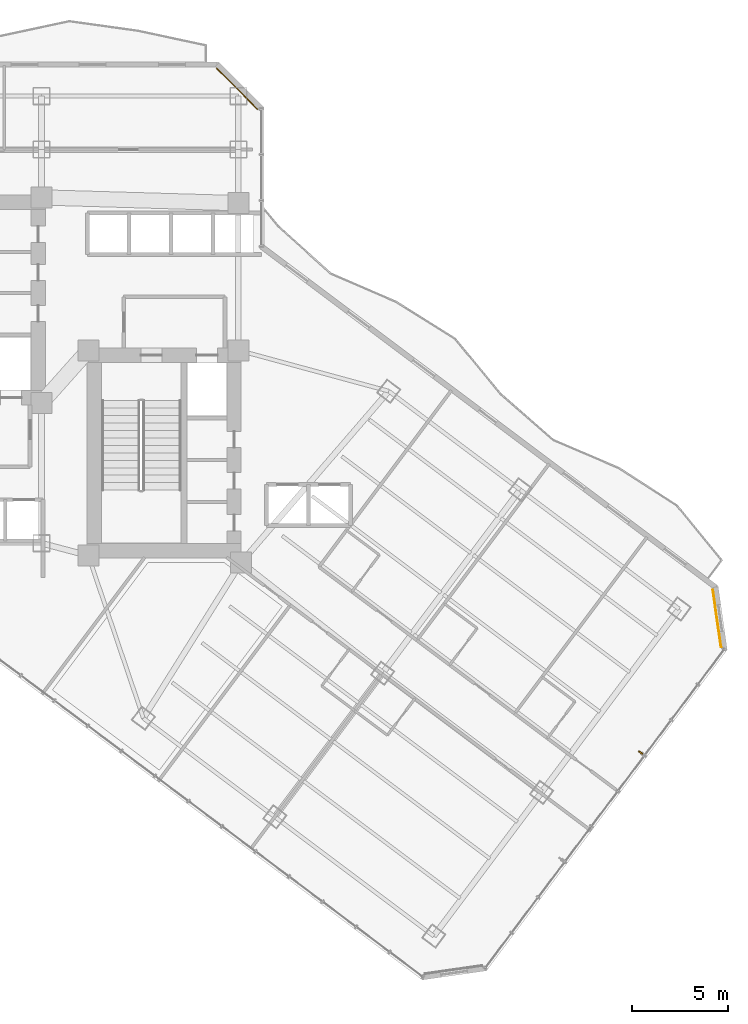
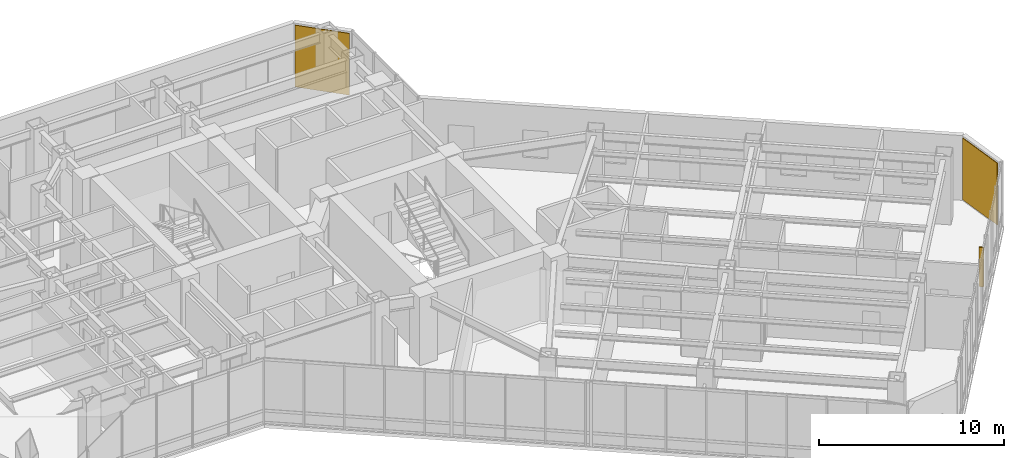
# One storey, part 27 of 27: 2 coverings, 1 shading device.
"""IFC4 building model written with IfcOpenShell, lengths in metres."""

import ifcopenshell
import ifcopenshell.guid

model = None  # the IFC model being written
_history = None  # IfcOwnerHistory: only IFC2X3 demands one
_inside = {}  # id of a spatial element -> (the spatial element, [elements in it])
_under = {}  # id of a project, library or spatial element -> (it, [spatial elements below it])
_declared = {}  # id of a project -> (the project, [libraries it declares])
_typed = {}  # id of a type object -> (the type object, [elements of that type])
_made_of = {}  # id of a material, layer set ... -> (it, [elements and type objects made of it])


def new_model(schema):
    """Start an empty IFC model of exactly this schema.

    Asked for "IFC4X3", IfcOpenShell would pick the latest addendum, in which some entities
    have other attributes; the version numbers below select the first issue.
    IFC2X3 requires an IfcOwnerHistory on every rooted entity: one is made here for all.
    """
    global model, _history
    if schema == "IFC4X3":
        model = ifcopenshell.file(schema_version=(4, 3, 0, 0))
    else:
        model = ifcopenshell.file(schema=schema)
    _inside.clear()
    _under.clear()
    _declared.clear()
    _typed.clear()
    _made_of.clear()
    _history = None
    if model.schema == "IFC2X3":
        org = make("IfcOrganization", Name="unknown")
        user = make(
            "IfcPersonAndOrganization",
            ThePerson=make("IfcPerson", FamilyName="unknown"),
            TheOrganization=org,
        )
        app = make(
            "IfcApplication",
            ApplicationDeveloper=org,
            Version="unknown",
            ApplicationFullName="unknown",
            ApplicationIdentifier="unknown",
        )
        _history = make(
            "IfcOwnerHistory",
            OwningUser=user,
            OwningApplication=app,
            ChangeAction="ADDED",
            CreationDate=0,
        )
    return model


def make(cls, **values):
    """One entity of the class cls with the attributes given. An attribute that is None is left unset."""
    return model.create_entity(
        cls, **{name: value for name, value in values.items() if value is not None}
    )


def rooted(cls, **values):
    """An entity with a GlobalId (a new one), such as an element, a storey or a relation."""
    return make(cls, GlobalId=ifcopenshell.guid.new(), OwnerHistory=_history, **values)


def si_unit(unit_type, name, prefix=None):
    """IfcSIUnit, for example si_unit("LENGTHUNIT", "METRE", prefix="MILLI")."""
    return make("IfcSIUnit", UnitType=unit_type, Prefix=prefix, Name=name)


def assignment(units):
    """IfcUnitAssignment: the units of a project."""
    return None if units is None else make("IfcUnitAssignment", Units=units)


def point(xyz):
    """IfcCartesianPoint."""
    return None if xyz is None else make("IfcCartesianPoint", Coordinates=xyz)


def direction(xyz):
    """IfcDirection."""
    return None if xyz is None else make("IfcDirection", DirectionRatios=xyz)


def frame(location, z_axis=None, x_axis=None):
    """IfcAxis2Placement3D, a coordinate frame: its origin and axes. An axis left out is left unset."""
    return make(
        "IfcAxis2Placement3D",
        Location=point(location),
        Axis=direction(z_axis),
        RefDirection=direction(x_axis),
    )


def frame_2d(location, x_axis=None):
    """IfcAxis2Placement2D, a coordinate frame in the plane: its origin and x axis."""
    return make(
        "IfcAxis2Placement2D", Location=point(location), RefDirection=direction(x_axis)
    )


def origin():
    """The frame at (0, 0, 0) with its axes left unset."""
    return frame((0.0, 0.0, 0.0))


def origin_2d():
    """The frame at (0, 0) in the plane with its x axis left unset."""
    return frame_2d((0.0, 0.0))


def place(relative_to, where):
    """IfcLocalPlacement: puts the frame where relative to a parent placement (None: the world)."""
    return make(
        "IfcLocalPlacement", PlacementRelTo=relative_to, RelativePlacement=where
    )


def context(
    kind, dimensions, precision=None, world=None, true_north=None, identifier=None
):
    """IfcGeometricRepresentationContext, for example the 3D "Model" context."""
    return make(
        "IfcGeometricRepresentationContext",
        ContextIdentifier=identifier,
        ContextType=kind,
        CoordinateSpaceDimension=dimensions,
        Precision=precision,
        WorldCoordinateSystem=world,
        TrueNorth=true_north,
    )


def subcontext(parent, identifier, kind, view, scale=None):
    """IfcGeometricRepresentationSubContext, for example "Body" below "Model"."""
    return make(
        "IfcGeometricRepresentationSubContext",
        ContextIdentifier=identifier,
        ContextType=kind,
        ParentContext=parent,
        TargetScale=scale,
        TargetView=view,
    )


def project(units=None, contexts=None):
    """IfcProject with its units and contexts."""
    return rooted(
        "IfcProject",
        Name="project",
        RepresentationContexts=contexts,
        UnitsInContext=assignment(units),
    )


def spatial(cls, under=None, at=None, **own):
    """A site, building, storey or space (cls), placed at a placement, below another one or the project."""
    s = rooted(cls, ObjectPlacement=at, **own)
    if under is not None:
        _under.setdefault(under.id(), (under, []))[1].append(s)
    return s


def profile(cls, at=None, kind="AREA", **sizes):
    """A parametric profile (cls). Its sizes go by their IFC names, for example OverallWidth=200.0."""
    return make(cls, ProfileType=kind, Position=at, **sizes)


def rectangle(**sizes):
    """IfcRectangleProfileDef."""
    return profile("IfcRectangleProfileDef", **sizes)


def extrude(swept, where, along, depth):
    """IfcExtrudedAreaSolid: the profile swept, set in the frame where, extruded along a direction by depth."""
    return make(
        "IfcExtrudedAreaSolid",
        SweptArea=swept,
        Position=where,
        ExtrudedDirection=direction(along),
        Depth=depth,
    )


def shape(context_of_items, identifier, shape_type, items):
    """IfcShapeRepresentation: the items that make up one representation, for example the "Body"."""
    return make(
        "IfcShapeRepresentation",
        ContextOfItems=context_of_items,
        RepresentationIdentifier=identifier,
        RepresentationType=shape_type,
        Items=items,
    )


def material(Name=None, Category=None):
    """IfcMaterial."""
    return make("IfcMaterial", Name=Name, Category=Category)


def layer(
    of_material, thickness, ventilated=None, Name=None, Category=None, Priority=None
):
    """IfcMaterialLayer: one layer of a wall or slab, of a material (None: an air gap)."""
    return make(
        "IfcMaterialLayer",
        Material=of_material,
        LayerThickness=thickness,
        IsVentilated=ventilated,
        Name=Name,
        Category=Category,
        Priority=Priority,
    )


def layer_set(layers, Name=None):
    """IfcMaterialLayerSet."""
    return make("IfcMaterialLayerSet", MaterialLayers=layers, LayerSetName=Name)


def made_of(thing, what):
    """Note that an element or type object is made of a material, layer set ...; save() writes the relation."""
    if what is not None:
        _made_of.setdefault(what.id(), (what, []))[1].append(thing)
    return thing


def type_object(cls, material=None, **own):
    """A type object (cls), such as IfcWallType, which elements share."""
    return made_of(rooted(cls, **own), material)


def element(
    cls,
    number,
    at=None,
    inside=None,
    cuts=None,
    type_object=None,
    material=None,
    context=None,
    identifier="Body",
    shape_type=None,
    held_by="IfcProductDefinitionShape",
    body=None,
    shapes=None,
    **own,
):
    """One element of the class cls, such as IfcWall. Its Tag is "e" and its number.

    at: its placement. inside: the storey or other place that contains it. cuts: it is an
    opening in that element (IfcRelVoidsElement). A single representation is given by context,
    identifier, shape_type and body (its items); several are given by shapes. held_by: the class
    of the entity that holds the representations. save() writes the other relations.
    """
    e = rooted(cls, Tag="e%d" % number, ObjectPlacement=at, **own)
    if body is not None:
        shapes = [shape(context, identifier, shape_type, body)]
    if shapes is not None:
        e.Representation = make(held_by, Representations=shapes)
    if inside is not None:
        _inside.setdefault(inside.id(), (inside, []))[1].append(e)
    if cuts is not None:
        rooted(
            "IfcRelVoidsElement", RelatingBuildingElement=cuts, RelatedOpeningElement=e
        )
    if type_object is not None:
        _typed.setdefault(type_object.id(), (type_object, []))[1].append(e)
    return made_of(e, material)


def aggregate(whole, parts):
    """IfcRelAggregates: a whole, such as a stair, and the parts it consists of."""
    return rooted("IfcRelAggregates", RelatingObject=whole, RelatedObjects=parts)


def save(model, path):
    """Write the relations noted so far, then the file.

    IfcRelAggregates (storeys below a building ...), IfcRelContainedInSpatialStructure (elements
    in a storey), IfcRelDefinesByType, IfcRelAssociatesMaterial and IfcRelDeclares: one each for
    every whole, place, type object, material and project.
    """
    for whole, parts in _under.values():
        aggregate(whole, parts)
    for where, things in _inside.values():
        rooted(
            "IfcRelContainedInSpatialStructure",
            RelatedElements=things,
            RelatingStructure=where,
        )
    for kind, things in _typed.values():
        rooted("IfcRelDefinesByType", RelatedObjects=things, RelatingType=kind)
    for what, things in _made_of.values():
        rooted("IfcRelAssociatesMaterial", RelatedObjects=things, RelatingMaterial=what)
    for by, libraries in _declared.values():
        rooted("IfcRelDeclares", RelatingContext=by, RelatedDefinitions=libraries)
    model.write(path)


model = new_model("IFC4")

# Units and contexts
model_context = context("Model", 3, precision=1e-05, world=origin(), true_north=direction((0.0, 1.0)))
body_context = subcontext(model_context, "Body", "Model", "MODEL_VIEW")
ifc_project = project(units=[si_unit("LENGTHUNIT", "METRE"), si_unit("AREAUNIT", "SQUARE_METRE"), si_unit("VOLUMEUNIT", "CUBIC_METRE"), si_unit("PLANEANGLEUNIT", "RADIAN"), si_unit("MASSUNIT", "GRAM", prefix="KILO")], contexts=[model_context])

# Site, building, storey
site_placement = place(None, origin())
site = spatial("IfcSite", under=ifc_project, at=site_placement, CompositionType="ELEMENT")
building_placement = place(site_placement, origin())
building = spatial("IfcBuilding", under=site, at=building_placement, Name="Hatsunagi Terrace Concourse", CompositionType="ELEMENT")
storey_placement = place(building_placement, frame((0.0, 0.0, 70.10009765625)))
storey = spatial("IfcBuildingStorey", under=building, at=storey_placement, Name="L18", CompositionType="ELEMENT", Elevation=70.10009765625)

# Shading device
ifc_material_1 = material(Name="Extruded Unglazed Terracotta Baguette", Category="masonry")
shading_device_type = type_object("IfcShadingDeviceType", Name="TerracottaFinScreen_260x70", PredefinedType="USERDEFINED", material=ifc_material_1)
shading_device_placement = place(storey_placement, frame((64.716064453125, 14.239013671875, 0.849853515625), z_axis=(0.0, 0.0, 1.0), x_axis=(-0.599969314634, -0.800023013105, 0.0)))
element("IfcShadingDevice", 1, at=shading_device_placement, inside=storey, type_object=shading_device_type, Name="Terracotta Baguette Fin Screen SCR-01", ObjectType="SUNSHADE", PredefinedType="USERDEFINED", context=body_context, shape_type="SweptSolid", body=[
    extrude(rectangle(XDim=0.070068359375, YDim=0.260009765625, at=origin_2d()), origin(), (0.0, 0.0, 1.0), 2.60009765625),
])

# Coverings
ifc_material_2 = material(Name="Unglazed Warm Terracotta Rainscreen Tile", Category="masonry")
ifc_layer = layer(ifc_material_2, 0.044921875)
ifc_layer_set = layer_set([ifc_layer], Name="TerracottaRainscreenCladding_45")
covering_type = type_object("IfcCoveringType", Name="TerracottaRainscreenCladding_45", PredefinedType="CLADDING", material=ifc_layer_set)
for number, where, z_axis, x_axis, name in (
    (2, (68.700927734375, 21.258056640625, 0.099853515625), (0.0, 0.0, 1.0), (0.141250262458, -0.989973920543, 0.0), "Terracotta Rainscreen Cladding L18-02"),
    (3, (43.5859375, 48.986083984375, 0.099853515625), (0.0, 0.0, 1.0), (0.707106781187, -0.707106781187, 0.0), "Terracotta Rainscreen Cladding L18-12"),
):
    element("IfcCovering", number, at=place(storey_placement, frame(where, z_axis=z_axis, x_axis=x_axis)), inside=storey, type_object=covering_type, Name=name, PredefinedType="CLADDING", context=body_context, shape_type="SweptSolid", body=[
        extrude(rectangle(XDim=3.0380859375, YDim=0.044921875, at=origin_2d()), origin(), (0.0, 0.0, 1.0), 4.080078125),
    ])

save(model, "model.ifc")
